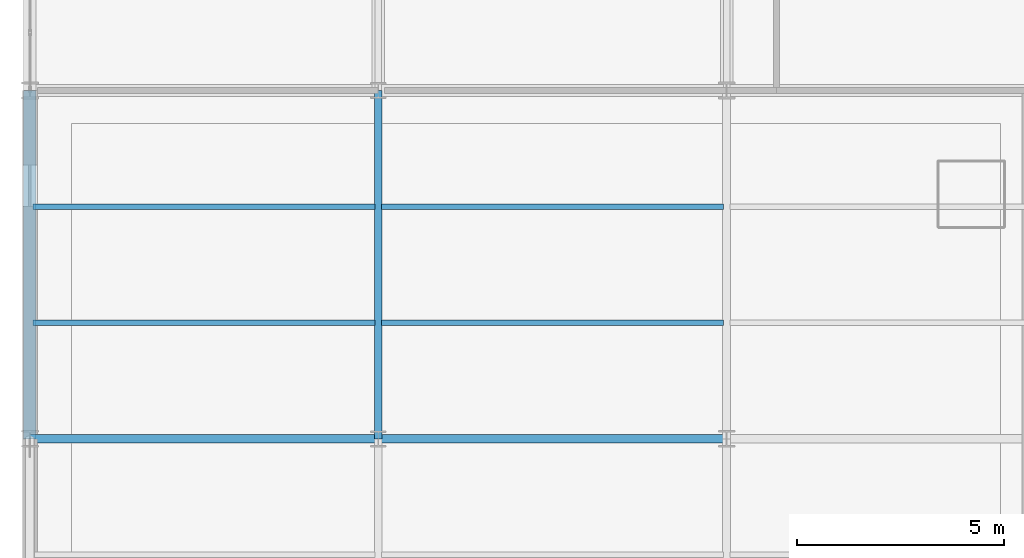
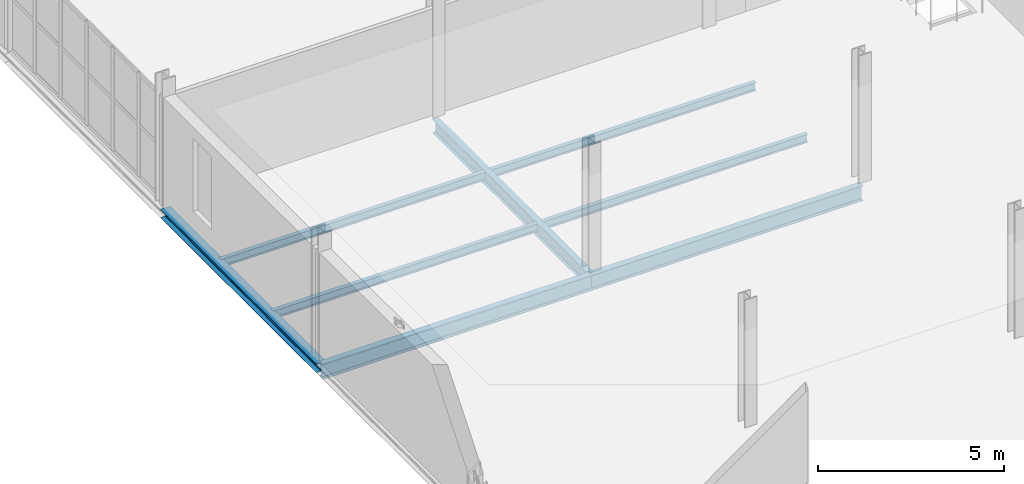
# One storey, part 46 of 184: 8 beams.
"""IFC4 building model written with IfcOpenShell, lengths in metres."""

from ifc_helpers import new_model, si_unit, direction, frame, origin, origin_2d, place, context, subcontext, project, spatial, i_section, extrude, material, material_profile, profile_set, type_object, element, save


model = new_model("IFC4")

# Units and contexts
model_context = context("Model", 3, precision=1e-05, world=origin(), true_north=direction((0.0, 1.0)))
body_context = subcontext(model_context, "Body", "Model", "MODEL_VIEW")
ifc_project = project(units=[si_unit("LENGTHUNIT", "METRE"), si_unit("AREAUNIT", "SQUARE_METRE"), si_unit("VOLUMEUNIT", "CUBIC_METRE"), si_unit("PLANEANGLEUNIT", "RADIAN"), si_unit("MASSUNIT", "GRAM", prefix="KILO")], contexts=[model_context])

# Site, building, storey
site_placement = place(None, origin())
site = spatial("IfcSite", under=ifc_project, at=site_placement, CompositionType="ELEMENT")
building_placement = place(site_placement, origin())
building = spatial("IfcBuilding", under=site, at=building_placement, Name="Qalvenar Corner Mobility Hub", CompositionType="ELEMENT")
storey_placement = place(building_placement, frame((0.0, 0.0, 9.0)))
storey = spatial("IfcBuildingStorey", under=building, at=storey_placement, Name="L02", CompositionType="ELEMENT", Elevation=9.0)

# Beams
ifc_material = material(Name="Steel S355", Category="steel")
ifc_material_profile_1 = material_profile(ifc_material, i_section(OverallWidth=0.18994140625, OverallDepth=0.449951171875, WebThickness=0.009521484375, FlangeThickness=0.0146484375, FilletRadius=0.02099609375, at=origin_2d()), Name="IPE450")
ifc_profile_set_1 = profile_set([ifc_material_profile_1], Name="Steel S355")
beam_type_1 = type_object("IfcBeamType", Name="BM-IPE450", PredefinedType="BEAM", material=ifc_profile_set_1)
beam_1_placement = place(storey_placement, frame((8.39990234375, 33.60009765625, -0.405029296875), z_axis=(0.0, 1.0, 0.0), x_axis=(-1.0, 0.0, 0.0)))
element("IfcBeam", 1, at=beam_1_placement, inside=storey, type_object=beam_type_1, Name="Primary Steel Girder GY-1586", PredefinedType="BEAM", context=body_context, shape_type="SweptSolid", body=[
    extrude(i_section(OverallWidth=0.18994140625, OverallDepth=0.449951171875, WebThickness=0.009521484375, FlangeThickness=0.0146484375, FilletRadius=0.02099609375, at=origin_2d()), origin(), (0.0, 0.0, 1.0), 8.39990234375),
])
ifc_material_profile_2 = material_profile(ifc_material, i_section(OverallWidth=0.199951171875, OverallDepth=0.5, WebThickness=0.01025390625, FlangeThickness=0.01611328125, FilletRadius=0.02099609375, at=origin_2d()), Name="IPE500")
ifc_profile_set_2 = profile_set([ifc_material_profile_2], Name="Steel S355")
beam_type_2 = type_object("IfcBeamType", Name="BM-IPE500", PredefinedType="BEAM", material=ifc_profile_set_2)
beam_2_placement = place(storey_placement, frame((0.0, 33.60009765625, -0.429931640625), z_axis=(1.0, 0.0, 0.0), x_axis=(0.0, 1.0, 0.0)))
element("IfcBeam", 2, at=beam_2_placement, inside=storey, type_object=beam_type_2, Name="Primary Steel Girder GX-1565", PredefinedType="BEAM", context=body_context, shape_type="SweptSolid", body=[
    extrude(i_section(OverallWidth=0.199951171875, OverallDepth=0.5, WebThickness=0.01025390625, FlangeThickness=0.01611328125, FilletRadius=0.02099609375, at=origin_2d()), origin(), (0.0, 0.0, 1.0), 8.39990234375),
])
beam_3_placement = place(storey_placement, frame((8.39990234375, 33.60009765625, -0.429931640625), z_axis=(1.0, 0.0, 0.0), x_axis=(0.0, 1.0, 0.0)))
element("IfcBeam", 3, at=beam_3_placement, inside=storey, type_object=beam_type_2, Name="Primary Steel Girder GX-1566", PredefinedType="BEAM", context=body_context, shape_type="SweptSolid", body=[
    extrude(i_section(OverallWidth=0.199951171875, OverallDepth=0.5, WebThickness=0.01025390625, FlangeThickness=0.01611328125, FilletRadius=0.02099609375, at=origin_2d()), origin(), (0.0, 0.0, 1.0), 8.400146484375),
])
ifc_material_profile_3 = material_profile(ifc_material, i_section(OverallWidth=0.135009765625, OverallDepth=0.27001953125, WebThickness=0.006591796875, FlangeThickness=0.01025390625, FilletRadius=0.014892578125, at=origin_2d()), Name="IPE270")
ifc_profile_set_3 = profile_set([ifc_material_profile_3], Name="Steel S355")
beam_type_3 = type_object("IfcBeamType", Name="BM-JST270", PredefinedType="JOIST", material=ifc_profile_set_3)
for number, where, z_axis, x_axis, name in (
    (4, (0.077880859375, 36.39990234375, -0.31494140625), (1.0, 0.0, 0.0), (0.0, 1.0, 0.0), "Composite Floor Joist J-1621"),
    (5, (0.077880859375, 39.199951171875, -0.31494140625), (1.0, 0.0, 0.0), (0.0, 1.0, 0.0), "Composite Floor Joist J-1622"),
):
    element("IfcBeam", number, at=place(storey_placement, frame(where, z_axis=z_axis, x_axis=x_axis)), inside=storey, type_object=beam_type_3, Name=name, PredefinedType="JOIST", context=body_context, shape_type="SweptSolid", body=[
        extrude(i_section(OverallWidth=0.135009765625, OverallDepth=0.27001953125, WebThickness=0.006591796875, FlangeThickness=0.01025390625, FilletRadius=0.014892578125, at=origin_2d()), origin(), (0.0, 0.0, 1.0), 8.244140625),
    ])
for number, where, z_axis, x_axis, name in (
    (6, (8.47802734375, 36.39990234375, -0.31494140625), (1.0, 0.0, 0.0), (0.0, 1.0, 0.0), "Composite Floor Joist J-1629"),
    (7, (8.47802734375, 39.199951171875, -0.31494140625), (1.0, 0.0, 0.0), (0.0, 1.0, 0.0), "Composite Floor Joist J-1630"),
):
    element("IfcBeam", number, at=place(storey_placement, frame(where, z_axis=z_axis, x_axis=x_axis)), inside=storey, type_object=beam_type_3, Name=name, PredefinedType="JOIST", context=body_context, shape_type="SweptSolid", body=[
        extrude(i_section(OverallWidth=0.135009765625, OverallDepth=0.27001953125, WebThickness=0.006591796875, FlangeThickness=0.01025390625, FilletRadius=0.014892578125, at=origin_2d()), origin(), (0.0, 0.0, 1.0), 8.243896484375),
    ])
ifc_material_profile_4 = material_profile(ifc_material, i_section(OverallWidth=0.300048828125, OverallDepth=0.2900390625, WebThickness=0.008544921875, FlangeThickness=0.013916015625, FilletRadius=0.027099609375, at=origin_2d()), Name="HEA300")
ifc_profile_set_4 = profile_set([ifc_material_profile_4], Name="Steel S355")
beam_type_4 = type_object("IfcBeamType", Name="BM-SPN300", PredefinedType="SPANDREL", material=ifc_profile_set_4)
beam_4_placement = place(storey_placement, frame((0.0, 33.60009765625, -0.324951171875), z_axis=(0.0, 1.0, 0.0), x_axis=(-1.0, 0.0, 0.0)))
element("IfcBeam", 8, at=beam_4_placement, inside=storey, type_object=beam_type_4, Name="Primary Steel Girder GY-1581", PredefinedType="SPANDREL", context=body_context, shape_type="SweptSolid", body=[
    extrude(i_section(OverallWidth=0.300048828125, OverallDepth=0.2900390625, WebThickness=0.008544921875, FlangeThickness=0.013916015625, FilletRadius=0.027099609375, at=origin_2d()), origin(), (0.0, 0.0, 1.0), 8.39990234375),
])

save(model, "model.ifc")
